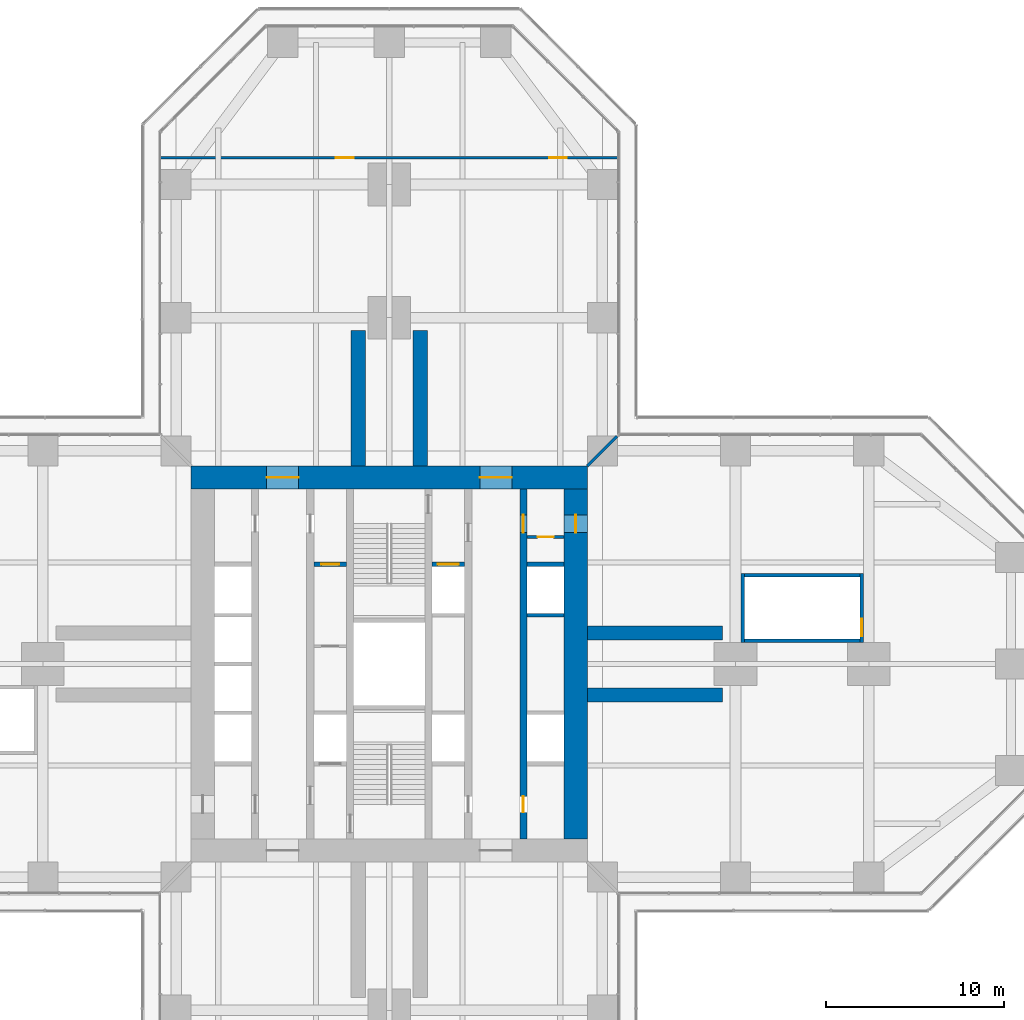
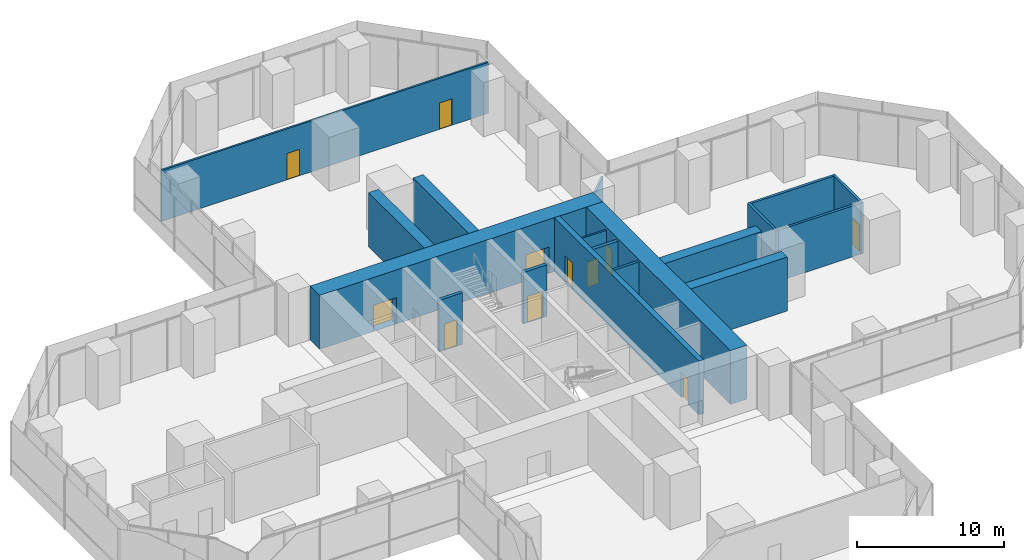
# One storey, part 18 of 21: 18 walls, 11 doors, 11 openings.
"""IFC4 building model written with IfcOpenShell, lengths in metres."""

from ifc_helpers import new_model, si_unit, direction, frame, frame_2d, origin, place, context, subcontext, project, spatial, rectangle, extrude, material, layer, layer_set, type_object, element, fill, save


model = new_model("IFC4")

# Units and contexts
model_context = context("Model", 3, precision=1e-05, world=origin(), true_north=direction((0.0, 1.0)))
body_context = subcontext(model_context, "Body", "Model", "MODEL_VIEW")
ifc_project = project(units=[si_unit("LENGTHUNIT", "METRE"), si_unit("AREAUNIT", "SQUARE_METRE"), si_unit("VOLUMEUNIT", "CUBIC_METRE"), si_unit("PLANEANGLEUNIT", "RADIAN"), si_unit("MASSUNIT", "GRAM", prefix="KILO")], contexts=[model_context])

# Site, building, storey
site_placement = place(None, origin())
site = spatial("IfcSite", under=ifc_project, at=site_placement, CompositionType="ELEMENT")
building_placement = place(site_placement, origin())
building = spatial("IfcBuilding", under=site, at=building_placement, Name="Mizan Broadcast Tower", CompositionType="ELEMENT")
storey_placement = place(building_placement, frame((0.0, 0.0, 33.0)))
storey = spatial("IfcBuildingStorey", under=building, at=storey_placement, Name="L05", CompositionType="ELEMENT", Elevation=33.0)

# Wall, openings, doors
ifc_material_1 = material(Name="Concrete C70/85", Category="concrete")
ifc_layer_1 = layer(ifc_material_1, 0.39990234375)
ifc_layer_set_1 = layer_set([ifc_layer_1], Name="Concrete C70/85")
wall_type_1 = type_object("IfcWallType", Name="CORE INTERNAL WALL 400", PredefinedType="SHEAR", material=ifc_layer_set_1)
wall_1_placement = place(storey_placement, frame((7.550048828125, 9.85009765625, 0.0), z_axis=(0.0, 0.0, 1.0), x_axis=(0.0, -1.0, 0.0)))
wall_1 = element("IfcWall", 1, at=wall_1_placement, inside=storey, type_object=wall_type_1, Name="Core wall CORE/XW1E", PredefinedType="SHEAR", context=body_context, shape_type="SweptSolid", body=[
    extrude(rectangle(XDim=19.7001953125, YDim=0.39990234375, at=frame_2d((9.85009765625, 0.0))), origin(), (0.0, 0.0, 1.0), 4.5),
])
opening_1_placement = place(wall_1_placement, frame((1.449951171875, 0.0, 0.0)))
opening_1 = element("IfcOpeningElement", 2, at=opening_1_placement, cuts=wall_1, Name="Opening D10F", PredefinedType="OPENING", context=body_context, shape_type="SweptSolid", body=[
    extrude(rectangle(XDim=1.0, YDim=2.199951171875, at=frame_2d((0.5, 1.10009765625))), frame((0.0, 0.2099609375, 0.0), z_axis=(0.0, -1.0, 0.0), x_axis=(1.0, 0.0, 0.0)), (0.0, 0.0, 1.0), 0.419921875),
])
opening_2_placement = place(wall_1_placement, frame((17.300048828125, 0.0, 0.0)))
opening_2 = element("IfcOpeningElement", 3, at=opening_2_placement, cuts=wall_1, Name="Opening D09", PredefinedType="OPENING", context=body_context, shape_type="SweptSolid", body=[
    extrude(rectangle(XDim=0.89990234375, YDim=2.10009765625, at=frame_2d((0.449951171875, 1.050048828125))), frame((0.0, 0.2099609375, 0.0), z_axis=(0.0, -1.0, 0.0), x_axis=(1.0, 0.0, 0.0)), (0.0, 0.0, 1.0), 0.419921875),
])
ifc_material_2 = material(Name="Steel door leaf in steel frame", Category="steel")
door_type_1 = type_object("IfcDoorType", Name="FIRE DOOR 1000 FD90", OperationType="SINGLE_SWING_LEFT", PredefinedType="DOOR", material=ifc_material_2)
door_1_placement = place(opening_1_placement, origin())
door_1 = element("IfcDoor", 4, at=door_1_placement, inside=storey, type_object=door_type_1, Name="East core passage door", OperationType="SINGLE_SWING_LEFT", OverallHeight=2.199951171875, OverallWidth=1.0, PredefinedType="DOOR", context=body_context, shape_type="SweptSolid", body=[
    extrude(rectangle(XDim=1.0, YDim=2.199951171875, at=frame_2d((0.5, 1.10009765625))), frame((0.0, 0.02490234375, 0.0), z_axis=(0.0, -1.0, 0.0), x_axis=(1.0, 0.0, 0.0)), (0.0, 0.0, 1.0), 0.050048828125),
])
fill(opening_1, door_1)
ifc_material_3 = material(Name="Timber door leaf in aluminium frame", Category="wood")
door_type_2 = type_object("IfcDoorType", Name="TOILET DOOR 900", OperationType="SINGLE_SWING_LEFT", PredefinedType="DOOR", material=ifc_material_3)
door_2_placement = place(opening_2_placement, origin())
door_2 = element("IfcDoor", 5, at=door_2_placement, inside=storey, type_object=door_type_2, Name="Female WC door", OperationType="SINGLE_SWING_RIGHT", OverallHeight=2.10009765625, OverallWidth=0.89990234375, PredefinedType="DOOR", context=body_context, shape_type="SweptSolid", body=[
    extrude(rectangle(XDim=0.89990234375, YDim=2.10009765625, at=frame_2d((0.449951171875, 1.050048828125))), frame((0.0, 0.02490234375, 0.0), z_axis=(0.0, -1.0, 0.0), x_axis=(1.0, 0.0, 0.0)), (0.0, 0.0, 1.0), 0.050048828125),
])
fill(opening_2, door_2)

# Wall, opening, door
ifc_material_4 = material(Name="Concrete blockwork", Category="masonry")
ifc_layer_2 = layer(ifc_material_4, 0.14990234375)
ifc_layer_set_2 = layer_set([ifc_layer_2], Name="Concrete blockwork")
wall_type_2 = type_object("IfcWallType", Name="CORE PARTITION 150", PredefinedType="SOLIDWALL", material=ifc_layer_set_2)
wall_2_placement = place(storey_placement, frame((9.85009765625, 7.14990234375, 0.0), z_axis=(0.0, 0.0, 1.0), x_axis=(-1.0, 0.0, 0.0)))
wall_2 = element("IfcWall", 6, at=wall_2_placement, inside=storey, type_object=wall_type_2, Name="Core partition CORE/XPE", PredefinedType="SOLIDWALL", context=body_context, shape_type="SweptSolid", body=[
    extrude(rectangle(XDim=2.10009765625, YDim=0.14990234375, at=frame_2d((1.050048828125, 0.0))), origin(), (0.0, 0.0, 1.0), 4.25),
])
opening_3_placement = place(wall_2_placement, frame((0.60009765625, 0.0, 0.0)))
opening_3 = element("IfcOpeningElement", 7, at=opening_3_placement, cuts=wall_2, Name="Opening D09F", PredefinedType="OPENING", context=body_context, shape_type="SweptSolid", body=[
    extrude(rectangle(XDim=0.89990234375, YDim=2.10009765625, at=frame_2d((0.449951171875, 1.050048828125))), frame((0.0, 0.0849609375, 0.0), z_axis=(0.0, -1.0, 0.0), x_axis=(1.0, 0.0, 0.0)), (0.0, 0.0, 1.0), 0.169921875),
])
ifc_material_5 = material(Name="Steel door leaf in steel frame", Category="steel")
door_type_3 = type_object("IfcDoorType", Name="CORE ROOM DOOR 900 FD90", OperationType="SINGLE_SWING_LEFT", PredefinedType="DOOR", material=ifc_material_5)
door_3_placement = place(opening_3_placement, origin())
door_3 = element("IfcDoor", 8, at=door_3_placement, inside=storey, type_object=door_type_3, Name="Comms cupboard door", OperationType="SINGLE_SWING_RIGHT", OverallHeight=2.10009765625, OverallWidth=0.89990234375, PredefinedType="DOOR", context=body_context, shape_type="SweptSolid", body=[
    extrude(rectangle(XDim=0.89990234375, YDim=2.10009765625, at=frame_2d((0.449951171875, 1.050048828125))), frame((0.0, 0.02490234375, 0.0), z_axis=(0.0, -1.0, 0.0), x_axis=(1.0, 0.0, 0.0)), (0.0, 0.0, 1.0), 0.050048828125),
])
fill(opening_3, door_3)

# Wall, openings, doors
ifc_material_6 = material(Name="Concrete C70/85", Category="concrete")
ifc_layer_3 = layer(ifc_material_6, 1.300048828125)
ifc_layer_set_3 = layer_set([ifc_layer_3], Name="Concrete C70/85")
wall_type_3 = type_object("IfcWallType", Name="CORE WALL 1300", PredefinedType="SHEAR", material=ifc_layer_set_3)
wall_3_placement = place(storey_placement, frame((-11.14990234375, 10.5, 0.0), z_axis=(0.0, 0.0, 1.0), x_axis=(1.0, 0.0, 0.0)))
wall_3 = element("IfcWall", 9, at=wall_3_placement, inside=storey, type_object=wall_type_3, Name="Core wall N L05", PredefinedType="SHEAR", context=body_context, shape_type="SweptSolid", body=[
    extrude(rectangle(XDim=22.2998046875, YDim=1.300048828125, at=frame_2d((11.14990234375, 0.0))), origin(), (0.0, 0.0, 1.0), 4.5),
])
opening_4_placement = place(wall_3_placement, frame((4.25, 0.0, 0.0)))
opening_4 = element("IfcOpeningElement", 10, at=opening_4_placement, cuts=wall_3, Name="Opening D18F", PredefinedType="OPENING", context=body_context, shape_type="SweptSolid", body=[
    extrude(rectangle(XDim=1.800048828125, YDim=2.199951171875, at=frame_2d((0.89990234375, 1.10009765625))), frame((0.0, 0.659912109375, 0.0), z_axis=(0.0, -1.0, 0.0), x_axis=(1.0, 0.0, 0.0)), (0.0, 0.0, 1.0), 1.320068359375),
])
opening_5_placement = place(wall_3_placement, frame((16.25, 0.0, 0.0)))
opening_5 = element("IfcOpeningElement", 11, at=opening_5_placement, cuts=wall_3, Name="Opening D18F", PredefinedType="OPENING", context=body_context, shape_type="SweptSolid", body=[
    extrude(rectangle(XDim=1.800048828125, YDim=2.199951171875, at=frame_2d((0.89990234375, 1.10009765625))), frame((0.0, 0.659912109375, 0.0), z_axis=(0.0, -1.0, 0.0), x_axis=(1.0, 0.0, 0.0)), (0.0, 0.0, 1.0), 1.320068359375),
])
ifc_material_7 = material(Name="Steel door leaf in steel frame", Category="steel")
door_type_4 = type_object("IfcDoorType", Name="LOBBY DOUBLE DOOR 1800 FD90", OperationType="DOUBLE_DOOR_DOUBLE_SWING", PredefinedType="DOOR", material=ifc_material_7)
door_4_placement = place(opening_4_placement, origin())
door_4 = element("IfcDoor", 12, at=door_4_placement, inside=storey, type_object=door_type_4, Name="West lift lobby north door", OperationType="DOUBLE_DOOR_DOUBLE_SWING", OverallHeight=2.199951171875, OverallWidth=1.800048828125, PredefinedType="DOOR", context=body_context, shape_type="SweptSolid", body=[
    extrude(rectangle(XDim=1.800048828125, YDim=2.199951171875, at=frame_2d((0.89990234375, 1.10009765625))), frame((0.0, 0.02490234375, 0.0), z_axis=(0.0, -1.0, 0.0), x_axis=(1.0, 0.0, 0.0)), (0.0, 0.0, 1.0), 0.050048828125),
])
fill(opening_4, door_4)
door_5_placement = place(opening_5_placement, origin())
door_5 = element("IfcDoor", 13, at=door_5_placement, inside=storey, type_object=door_type_4, Name="East lift lobby north door", OperationType="DOUBLE_DOOR_DOUBLE_SWING", OverallHeight=2.199951171875, OverallWidth=1.800048828125, PredefinedType="DOOR", context=body_context, shape_type="SweptSolid", body=[
    extrude(rectangle(XDim=1.800048828125, YDim=2.199951171875, at=frame_2d((0.89990234375, 1.10009765625))), frame((0.0, 0.02490234375, 0.0), z_axis=(0.0, -1.0, 0.0), x_axis=(1.0, 0.0, 0.0)), (0.0, 0.0, 1.0), 0.050048828125),
])
fill(opening_5, door_5)

# Wall, opening, door
wall_4_placement = place(storey_placement, frame((10.5, -9.85009765625, 0.0), z_axis=(0.0, 0.0, 1.0), x_axis=(0.0, 1.0, 0.0)))
wall_4 = element("IfcWall", 14, at=wall_4_placement, inside=storey, type_object=wall_type_3, Name="Core wall E L05", PredefinedType="SHEAR", context=body_context, shape_type="SweptSolid", body=[
    extrude(rectangle(XDim=19.7001953125, YDim=1.300048828125, at=frame_2d((9.85009765625, 0.0))), origin(), (0.0, 0.0, 1.0), 4.5),
])
opening_6_placement = place(wall_4_placement, frame((17.25, 0.0, 0.0)))
opening_6 = element("IfcOpeningElement", 15, at=opening_6_placement, cuts=wall_4, Name="Opening D10F", PredefinedType="OPENING", context=body_context, shape_type="SweptSolid", body=[
    extrude(rectangle(XDim=1.0, YDim=2.199951171875, at=frame_2d((0.5, 1.10009765625))), frame((0.0, 0.659912109375, 0.0), z_axis=(0.0, -1.0, 0.0), x_axis=(1.0, 0.0, 0.0)), (0.0, 0.0, 1.0), 1.320068359375),
])
door_6_placement = place(opening_6_placement, origin())
door_6 = element("IfcDoor", 16, at=door_6_placement, inside=storey, type_object=door_type_1, Name="East core passage arm door", OperationType="SINGLE_SWING_RIGHT", OverallHeight=2.199951171875, OverallWidth=1.0, PredefinedType="DOOR", context=body_context, shape_type="SweptSolid", body=[
    extrude(rectangle(XDim=1.0, YDim=2.199951171875, at=frame_2d((0.5, 1.10009765625))), frame((0.0, 0.02490234375, 0.0), z_axis=(0.0, -1.0, 0.0), x_axis=(1.0, 0.0, 0.0)), (0.0, 0.0, 1.0), 0.050048828125),
])
fill(opening_6, door_6)

# Wall
ifc_material_8 = material(Name="Concrete blockwork", Category="masonry")
ifc_layer_4 = layer(ifc_material_8, 0.199951171875)
ifc_layer_set_4 = layer_set([ifc_layer_4], Name="Concrete blockwork")
wall_type_4 = type_object("IfcWallType", Name="LIFT SHAFT WALL 200", PredefinedType="SOLIDWALL", material=ifc_layer_set_4)
wall_5_placement = place(storey_placement, frame((7.75, 2.75, 0.0), z_axis=(0.0, 0.0, 1.0), x_axis=(1.0, 0.0, 0.0)))
element("IfcWall", 17, at=wall_5_placement, inside=storey, type_object=wall_type_4, Name="Lift shaft wall CORE/SE1-3", PredefinedType="SOLIDWALL", context=body_context, shape_type="SweptSolid", body=[
    extrude(rectangle(XDim=2.10009765625, YDim=0.199951171875, at=frame_2d((1.050048828125, 0.0))), origin(), (0.0, 0.0, 1.0), 4.300048828125),
])

# Wall, opening, door
ifc_material_9 = material(Name="Concrete blockwork", Category="masonry")
ifc_layer_5 = layer(ifc_material_9, 0.25)
ifc_layer_set_5 = layer_set([ifc_layer_5], Name="Concrete blockwork")
wall_type_5 = type_object("IfcWallType", Name="LOBBY ENCLOSURE WALL 250", PredefinedType="SOLIDWALL", material=ifc_layer_set_5)
wall_6_placement = place(storey_placement, frame((-4.25, 5.625, 0.0), z_axis=(0.0, 0.0, 1.0), x_axis=(1.0, 0.0, 0.0)))
wall_6 = element("IfcWall", 18, at=wall_6_placement, inside=storey, type_object=wall_type_5, Name="Lobby enclosure wall CORE/BW2N", PredefinedType="SOLIDWALL", context=body_context, shape_type="SweptSolid", body=[
    extrude(rectangle(XDim=1.85009765625, YDim=0.25, at=frame_2d((0.925048828125, 0.0))), origin(), (0.0, 0.0, 1.0), 4.300048828125),
])
opening_7_placement = place(wall_6_placement, frame((0.425048828125, 0.0, 0.0)))
opening_7 = element("IfcOpeningElement", 19, at=opening_7_placement, cuts=wall_6, Name="Opening D10F", PredefinedType="OPENING", context=body_context, shape_type="SweptSolid", body=[
    extrude(rectangle(XDim=1.0, YDim=2.199951171875, at=frame_2d((0.5, 1.10009765625))), frame((0.0, 0.135009765625, 0.0), z_axis=(0.0, -1.0, 0.0), x_axis=(1.0, 0.0, 0.0)), (0.0, 0.0, 1.0), 0.27001953125),
])
door_7_placement = place(opening_7_placement, origin())
door_7 = element("IfcDoor", 20, at=door_7_placement, inside=storey, type_object=door_type_1, Name="Accessible changing room door", OperationType="SINGLE_SWING_RIGHT", OverallHeight=2.199951171875, OverallWidth=1.0, PredefinedType="DOOR", context=body_context, shape_type="SweptSolid", body=[
    extrude(rectangle(XDim=1.0, YDim=2.199951171875, at=frame_2d((0.5, 1.10009765625))), frame((0.0, 0.02490234375, 0.0), z_axis=(0.0, -1.0, 0.0), x_axis=(1.0, 0.0, 0.0)), (0.0, 0.0, 1.0), 0.050048828125),
])
fill(opening_7, door_7)

wall_7_placement = place(storey_placement, frame((2.39990234375, 5.625, 0.0), z_axis=(0.0, 0.0, 1.0), x_axis=(1.0, 0.0, 0.0)))
wall_7 = element("IfcWall", 21, at=wall_7_placement, inside=storey, type_object=wall_type_5, Name="Lobby enclosure wall CORE/BE2N", PredefinedType="SOLIDWALL", context=body_context, shape_type="SweptSolid", body=[
    extrude(rectangle(XDim=1.85009765625, YDim=0.25, at=frame_2d((0.925048828125, 0.0))), origin(), (0.0, 0.0, 1.0), 4.300048828125),
])
opening_8_placement = place(wall_7_placement, frame((0.324951171875, 0.0, 0.0)))
opening_8 = element("IfcOpeningElement", 22, at=opening_8_placement, cuts=wall_7, Name="Opening LDF", PredefinedType="OPENING", context=body_context, shape_type="SweptSolid", body=[
    extrude(rectangle(XDim=1.199951171875, YDim=2.199951171875, at=frame_2d((0.60009765625, 1.10009765625))), frame((0.0, 0.135009765625, 0.0), z_axis=(0.0, -1.0, 0.0), x_axis=(1.0, 0.0, 0.0)), (0.0, 0.0, 1.0), 0.27001953125),
])
ifc_material_10 = material(Name="Steel door leaf in steel frame", Category="steel")
door_type_5 = type_object("IfcDoorType", Name="FIREFIGHTING LIFT LANDING DOOR 1200", OperationType="SLIDING_TO_LEFT", PredefinedType="DOOR", material=ifc_material_10)
door_8_placement = place(opening_8_placement, origin())
door_8 = element("IfcDoor", 23, at=door_8_placement, inside=storey, type_object=door_type_5, Name="Landing door FF2", OperationType="SLIDING_TO_LEFT", OverallHeight=2.199951171875, OverallWidth=1.199951171875, PredefinedType="DOOR", context=body_context, shape_type="SweptSolid", body=[
    extrude(rectangle(XDim=1.199951171875, YDim=2.199951171875, at=frame_2d((0.60009765625, 1.10009765625))), frame((0.0, 0.02490234375, 0.0), z_axis=(0.0, -1.0, 0.0), x_axis=(1.0, 0.0, 0.0)), (0.0, 0.0, 1.0), 0.050048828125),
])
fill(opening_8, door_8)

# Wall
wall_8_placement = place(storey_placement, frame((7.75, 5.625, 0.0), z_axis=(0.0, 0.0, 1.0), x_axis=(1.0, 0.0, 0.0)))
element("IfcWall", 24, at=wall_8_placement, inside=storey, type_object=wall_type_5, Name="Lobby enclosure wall CORE/BE1N", PredefinedType="SOLIDWALL", context=body_context, shape_type="SweptSolid", body=[
    extrude(rectangle(XDim=2.10009765625, YDim=0.25, at=frame_2d((1.050048828125, 0.0))), origin(), (0.0, 0.0, 1.0), 4.300048828125),
])

# Wall, openings, doors
ifc_material_11 = material(Name="Gypsum board on steel studs", Category="steel")
ifc_layer_6 = layer(ifc_material_11, 0.14990234375)
ifc_layer_set_6 = layer_set([ifc_layer_6], Name="Gypsum board on steel studs")
wall_type_6 = type_object("IfcWallType", Name="PARTITION 150", PredefinedType="PARTITIONING", material=ifc_layer_set_6)
wall_9_placement = place(storey_placement, frame((12.875, 28.5, 0.0), z_axis=(0.0, 0.0, 1.0), x_axis=(-1.0, 0.0, 0.0)))
wall_9 = element("IfcWall", 25, at=wall_9_placement, inside=storey, type_object=wall_type_6, Name="Partition PT/NX1", PredefinedType="PARTITIONING", context=body_context, shape_type="SweptSolid", body=[
    extrude(rectangle(XDim=25.75, YDim=0.14990234375, at=frame_2d((12.875, 0.0))), origin(), (0.0, 0.0, 1.0), 4.25),
])
opening_9_placement = place(wall_9_placement, frame((14.875, 0.0, 0.0)))
opening_9 = element("IfcOpeningElement", 26, at=opening_9_placement, cuts=wall_9, Name="Opening D10", PredefinedType="OPENING", context=body_context, shape_type="SweptSolid", body=[
    extrude(rectangle(XDim=1.0, YDim=2.199951171875, at=frame_2d((0.5, 1.10009765625))), frame((0.0, 0.0849609375, 0.0), z_axis=(0.0, -1.0, 0.0), x_axis=(1.0, 0.0, 0.0)), (0.0, 0.0, 1.0), 0.169921875),
])
opening_10_placement = place(wall_9_placement, frame((2.875, 0.0, 0.0)))
opening_10 = element("IfcOpeningElement", 27, at=opening_10_placement, cuts=wall_9, Name="Opening D10", PredefinedType="OPENING", context=body_context, shape_type="SweptSolid", body=[
    extrude(rectangle(XDim=1.0, YDim=2.199951171875, at=frame_2d((0.5, 1.10009765625))), frame((0.0, 0.0849609375, 0.0), z_axis=(0.0, -1.0, 0.0), x_axis=(1.0, 0.0, 0.0)), (0.0, 0.0, 1.0), 0.169921875),
])
ifc_material_12 = material(Name="Timber door leaf in aluminium frame", Category="wood")
door_type_6 = type_object("IfcDoorType", Name="ROOM DOOR 1000", OperationType="SINGLE_SWING_LEFT", PredefinedType="DOOR", material=ifc_material_12)
door_9_placement = place(opening_9_placement, origin())
door_9 = element("IfcDoor", 28, at=door_9_placement, inside=storey, type_object=door_type_6, Name="Editorial meeting room door", OperationType="SINGLE_SWING_RIGHT", OverallHeight=2.199951171875, OverallWidth=1.0, PredefinedType="DOOR", context=body_context, shape_type="SweptSolid", body=[
    extrude(rectangle(XDim=1.0, YDim=2.199951171875, at=frame_2d((0.5, 1.10009765625))), frame((0.0, 0.02490234375, 0.0), z_axis=(0.0, -1.0, 0.0), x_axis=(1.0, 0.0, 0.0)), (0.0, 0.0, 1.0), 0.050048828125),
])
fill(opening_9, door_9)
door_10_placement = place(opening_10_placement, origin())
door_10 = element("IfcDoor", 29, at=door_10_placement, inside=storey, type_object=door_type_6, Name="Editorial meeting room door", OperationType="SINGLE_SWING_LEFT", OverallHeight=2.199951171875, OverallWidth=1.0, PredefinedType="DOOR", context=body_context, shape_type="SweptSolid", body=[
    extrude(rectangle(XDim=1.0, YDim=2.199951171875, at=frame_2d((0.5, 1.10009765625))), frame((0.0, 0.02490234375, 0.0), z_axis=(0.0, -1.0, 0.0), x_axis=(1.0, 0.0, 0.0)), (0.0, 0.0, 1.0), 0.050048828125),
])
fill(opening_10, door_10)

# Walls
wall_10_placement = place(storey_placement, frame((11.14990234375, 11.14990234375, 0.0), z_axis=(0.0, 0.0, 1.0), x_axis=(0.707106781187, 0.707106781187, 0.0)))
element("IfcWall", 30, at=wall_10_placement, inside=storey, type_object=wall_type_6, Name="Partition PT/DGEN", PredefinedType="PARTITIONING", context=body_context, shape_type="SweptSolid", body=[
    extrude(rectangle(XDim=2.362060546875, YDim=0.14990234375, at=frame_2d((1.18115234375, 0.0))), origin(), (0.0, 0.0, 1.0), 4.25),
])
ifc_material_13 = material(Name="Concrete C70/85", Category="concrete")
ifc_layer_7 = layer(ifc_material_13, 0.800048828125)
ifc_layer_set_7 = layer_set([ifc_layer_7], Name="Concrete C70/85")
wall_type_7 = type_object("IfcWallType", Name="SPINE WALL 800", PredefinedType="SHEAR", material=ifc_layer_set_7)
for number, where, z_axis, x_axis, name in (
    (31, (11.14990234375, -1.75, 0.0), (0.0, 0.0, 1.0), (1.0, 0.0, 0.0), "Spine wall ER L05"),
    (32, (11.14990234375, 1.75, 0.0), (0.0, 0.0, 1.0), (1.0, 0.0, 0.0), "Spine wall EL L05"),
    (33, (1.75, 11.14990234375, 0.0), (0.0, 0.0, 1.0), (0.0, 1.0, 0.0), "Spine wall NR L05"),
    (34, (-1.75, 11.14990234375, 0.0), (0.0, 0.0, 1.0), (0.0, 1.0, 0.0), "Spine wall NL L05"),
):
    element("IfcWall", number, at=place(storey_placement, frame(where, z_axis=z_axis, x_axis=x_axis)), inside=storey, type_object=wall_type_7, Name=name, PredefinedType="SHEAR", context=body_context, shape_type="SweptSolid", body=[
        extrude(rectangle(XDim=7.625, YDim=0.800048828125, at=frame_2d((3.8125, 0.0))), origin(), (0.0, 0.0, 1.0), 4.5),
    ])
ifc_material_14 = material(Name="Concrete C40/50", Category="concrete")
ifc_layer_8 = layer(ifc_material_14, 0.199951171875)
ifc_layer_set_8 = layer_set([ifc_layer_8], Name="Concrete C40/50")
wall_type_8 = type_object("IfcWallType", Name="STAIR SHAFT WALL 200 RC", PredefinedType="SOLIDWALL", material=ifc_layer_set_8)
wall_11_placement = place(storey_placement, frame((19.89990234375, 1.199951171875, 0.0), z_axis=(0.0, 0.0, 1.0), x_axis=(0.0, 1.0, 0.0)))
element("IfcWall", 35, at=wall_11_placement, inside=storey, type_object=wall_type_8, Name="Stair shaft wall PS/E/U0", PredefinedType="SOLIDWALL", context=body_context, shape_type="SweptSolid", body=[
    extrude(rectangle(XDim=3.900146484375, YDim=0.199951171875, at=frame_2d((1.9501953125, 0.0))), origin(), (0.0, 0.0, 1.0), 4.25),
])

# Wall, opening, door
wall_12_placement = place(storey_placement, frame((26.60009765625, 5.10009765625, 0.0), z_axis=(0.0, 0.0, 1.0), x_axis=(0.0, -1.0, 0.0)))
wall_12 = element("IfcWall", 36, at=wall_12_placement, inside=storey, type_object=wall_type_8, Name="Stair shaft wall PS/E/U1", PredefinedType="SOLIDWALL", context=body_context, shape_type="SweptSolid", body=[
    extrude(rectangle(XDim=3.900146484375, YDim=0.199951171875, at=frame_2d((1.9501953125, 0.0))), origin(), (0.0, 0.0, 1.0), 4.25),
])
opening_11_placement = place(wall_12_placement, frame((2.550048828125, 0.0, 0.0)))
opening_11 = element("IfcOpeningElement", 37, at=opening_11_placement, cuts=wall_12, Name="Opening D10S", PredefinedType="OPENING", context=body_context, shape_type="SweptSolid", body=[
    extrude(rectangle(XDim=1.0, YDim=2.199951171875, at=frame_2d((0.5, 1.10009765625))), frame((0.0, 0.10986328125, 0.0), z_axis=(0.0, -1.0, 0.0), x_axis=(1.0, 0.0, 0.0)), (0.0, 0.0, 1.0), 0.219970703125),
])
ifc_material_15 = material(Name="Steel door leaf in steel frame", Category="steel")
door_type_7 = type_object("IfcDoorType", Name="STAIR DOOR 1000 FD90S", OperationType="SINGLE_SWING_RIGHT", PredefinedType="DOOR", material=ifc_material_15)
door_11_placement = place(opening_11_placement, origin())
door_11 = element("IfcDoor", 38, at=door_11_placement, inside=storey, type_object=door_type_7, Name="Stair C door", OperationType="SINGLE_SWING_RIGHT", OverallHeight=2.199951171875, OverallWidth=1.0, PredefinedType="DOOR", context=body_context, shape_type="SweptSolid", body=[
    extrude(rectangle(XDim=1.0, YDim=2.199951171875, at=frame_2d((0.5, 1.10009765625))), frame((0.0, 0.02490234375, 0.0), z_axis=(0.0, -1.0, 0.0), x_axis=(1.0, 0.0, 0.0)), (0.0, 0.0, 1.0), 0.050048828125),
])
fill(opening_11, door_11)

# Walls
for number, where, z_axis, x_axis, name in (
    (39, (20.0, 1.300048828125, 0.0), (0.0, 0.0, 1.0), (1.0, 0.0, 0.0), "Stair shaft wall PS/E/V0"),
    (40, (26.5, 5.0, 0.0), (0.0, 0.0, 1.0), (-1.0, 0.0, 0.0), "Stair shaft wall PS/E/V1"),
):
    element("IfcWall", number, at=place(storey_placement, frame(where, z_axis=z_axis, x_axis=x_axis)), inside=storey, type_object=wall_type_8, Name=name, PredefinedType="SOLIDWALL", context=body_context, shape_type="SweptSolid", body=[
        extrude(rectangle(XDim=6.5, YDim=0.199951171875, at=frame_2d((3.25, 0.0))), origin(), (0.0, 0.0, 1.0), 4.25),
    ])

save(model, "model.ifc")
